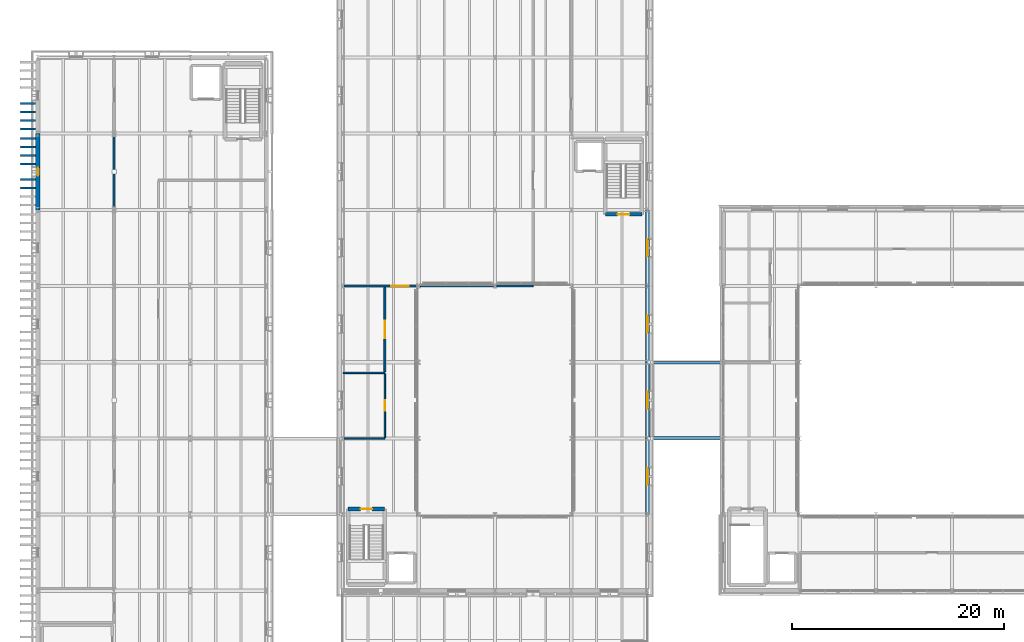
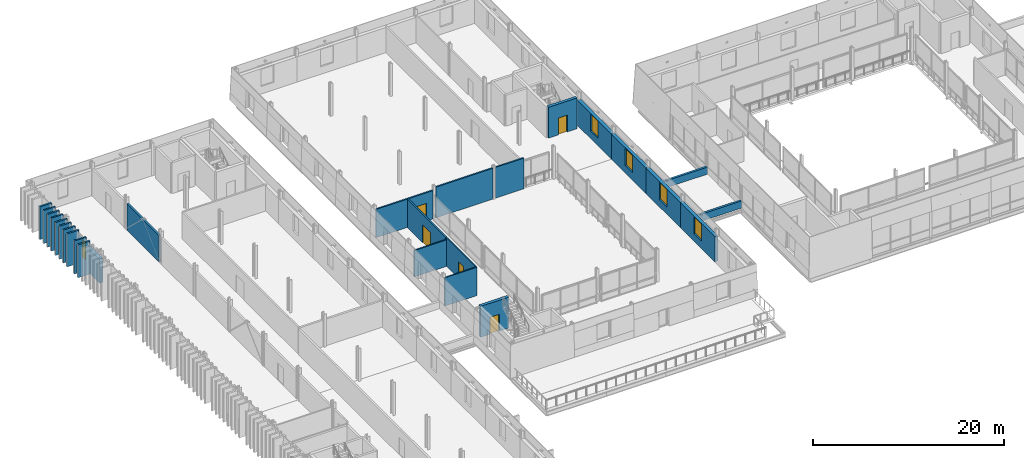
# One storey, part 61 of 91: 27 walls, 5 doors, 5 windows, 10 openings.
"""IFC4 building model written with IfcOpenShell, lengths in metres."""

from ifc_helpers import new_model, si_unit, direction, frame, frame_2d, origin, place, context, subcontext, project, spatial, rectangle, extrude, material, layer, layer_set, type_object, element, fill, save


model = new_model("IFC4")

# Units and contexts
model_context = context("Model", 3, precision=1e-05, world=origin(), true_north=direction((0.0, 1.0)))
body_context = subcontext(model_context, "Body", "Model", "MODEL_VIEW")
ifc_project = project(units=[si_unit("LENGTHUNIT", "METRE"), si_unit("AREAUNIT", "SQUARE_METRE"), si_unit("VOLUMEUNIT", "CUBIC_METRE"), si_unit("PLANEANGLEUNIT", "RADIAN"), si_unit("MASSUNIT", "GRAM", prefix="KILO")], contexts=[model_context])

# Site, building, storey
site_placement = place(None, origin())
site = spatial("IfcSite", under=ifc_project, at=site_placement, CompositionType="ELEMENT")
building_placement = place(site_placement, origin())
building = spatial("IfcBuilding", under=site, at=building_placement, Name="Narikvali Park Central Library", CompositionType="ELEMENT")
storey_placement = place(building_placement, frame((0.0, 0.0, 14.39990234375)))
storey = spatial("IfcBuildingStorey", under=building, at=storey_placement, Name="L03", CompositionType="ELEMENT", Elevation=14.39990234375)

# Walls
ifc_material_1 = material(Name="Reinforced Masonry Blockwork C30/37", Category="masonry")
ifc_layer_1 = layer(ifc_material_1, 0.219970703125, Name="Reinforced Masonry Blockwork C30/37")
ifc_layer_set_1 = layer_set([ifc_layer_1], Name="Reinforced Masonry Blockwork C30/37")
wall_type_1 = type_object("IfcWallType", Name="Archive Fire-Resisting Partition 220", PredefinedType="SOLIDWALL", material=ifc_layer_set_1)
wall_1_placement = place(storey_placement, frame((7.199951171875, 93.87890625, 0.0), z_axis=(0.0, 0.0, 1.0), x_axis=(0.0, 1.0, 0.0)))
element("IfcWall", 1, at=wall_1_placement, inside=storey, type_object=wall_type_1, Name="Compact Mobile Shelving Stacks L03 Partition E", PredefinedType="SOLIDWALL", context=body_context, shape_type="SweptSolid", body=[
    extrude(rectangle(XDim=6.64208984375, YDim=0.219970703125, at=frame_2d((3.321044921875, 0.0))), origin(), (0.0, 0.0, 1.0), 3.385009765625),
])
ifc_material_2 = material(Name="Kiln-Fired Terracotta Red Brick Masonry", Category="masonry")
ifc_layer_2 = layer(ifc_material_2, 0.199951171875, Name="Kiln-Fired Terracotta Red Brick Masonry")
ifc_layer_set_2 = layer_set([ifc_layer_2], Name="Kiln-Fired Terracotta Red Brick Masonry")
wall_type_2 = type_object("IfcWallType", Name="Kiln-Fired Red Brick Vertical Fin Wall 200", PredefinedType="SOLIDWALL", material=ifc_layer_set_2)
for number, where, z_axis, x_axis, name in (
    (2, (-1.659912109375, 95.64990234375, 0.0), (0.0, 0.0, 1.0), (1.0, 0.0, 0.0), "West Stacks Red Brick Vertical Fin Pier 424"),
    (3, (-1.659912109375, 96.449951171875, 0.0), (0.0, 0.0, 1.0), (1.0, 0.0, 0.0), "West Stacks Red Brick Vertical Fin Pier 430"),
    (4, (-1.659912109375, 97.949951171875, 0.0), (0.0, 0.0, 1.0), (1.0, 0.0, 0.0), "West Stacks Red Brick Vertical Fin Pier 436"),
    (5, (-1.659912109375, 98.75, 0.0), (0.0, 0.0, 1.0), (1.0, 0.0, 0.0), "West Stacks Red Brick Vertical Fin Pier 442"),
    (6, (-1.659912109375, 99.550048828125, 0.0), (0.0, 0.0, 1.0), (1.0, 0.0, 0.0), "West Stacks Red Brick Vertical Fin Pier 448"),
    (7, (-1.659912109375, 100.35009765625, 0.0), (0.0, 0.0, 1.0), (1.0, 0.0, 0.0), "West Stacks Red Brick Vertical Fin Pier 454"),
    (8, (-1.659912109375, 101.25, 0.0), (0.0, 0.0, 1.0), (1.0, 0.0, 0.0), "West Stacks Red Brick Vertical Fin Pier 460"),
    (9, (-1.659912109375, 102.050048828125, 0.0), (0.0, 0.0, 1.0), (1.0, 0.0, 0.0), "West Stacks Red Brick Vertical Fin Pier 466"),
    (10, (-1.659912109375, 102.85009765625, 0.0), (0.0, 0.0, 1.0), (1.0, 0.0, 0.0), "West Stacks Red Brick Vertical Fin Pier 472"),
    (11, (-1.659912109375, 103.64990234375, 0.0), (0.0, 0.0, 1.0), (1.0, 0.0, 0.0), "West Stacks Red Brick Vertical Fin Pier 478"),
):
    element("IfcWall", number, at=place(storey_placement, frame(where, z_axis=z_axis, x_axis=x_axis)), inside=storey, type_object=wall_type_2, Name=name, PredefinedType="SOLIDWALL", context=body_context, shape_type="SweptSolid", body=[
        extrude(rectangle(XDim=1.43994140625, YDim=0.199951171875, at=frame_2d((0.719970703125, 0.0))), origin(), (0.0, 0.0, 1.0), 4.2001953125),
    ])
ifc_material_3 = material(Name="Moisture-Resistant Cement Board on Steel Studs", Category="steel")
ifc_layer_3 = layer(ifc_material_3, 0.14990234375, Name="Moisture-Resistant Cement Board on Steel Studs")
ifc_layer_set_3 = layer_set([ifc_layer_3], Name="Moisture-Resistant Cement Board on Steel Studs")
wall_type_3 = type_object("IfcWallType", Name="Moisture-Resistant WC Partition 150", PredefinedType="PARTITIONING", material=ifc_layer_set_3)
wall_2_placement = place(storey_placement, frame((28.9541015625, 72.0, 0.0), z_axis=(0.0, 0.0, 1.0), x_axis=(1.0, 0.0, 0.0)))
element("IfcWall", 12, at=wall_2_placement, inside=storey, type_object=wall_type_3, Name="Atrium Accessible WC L03 Partition S", PredefinedType="PARTITIONING", context=body_context, shape_type="SweptSolid", body=[
    extrude(rectangle(XDim=3.845947265625, YDim=0.14990234375, at=frame_2d((1.9228515625, 0.0))), origin(), (0.0, 0.0, 1.0), 3.614990234375),
])
wall_3_placement = place(storey_placement, frame((28.85498046875, 78.199951171875, 0.0), z_axis=(0.0, 0.0, 1.0), x_axis=(1.0, 0.0, 0.0)))
element("IfcWall", 13, at=wall_3_placement, inside=storey, type_object=wall_type_3, Name="Atrium Accessible WC L03 Partition N", PredefinedType="PARTITIONING", context=body_context, shape_type="SweptSolid", body=[
    extrude(rectangle(XDim=3.945068359375, YDim=0.14990234375, at=frame_2d((1.97265625, 0.0))), origin(), (0.0, 0.0, 1.0), 3.375),
])

# Wall, opening, door
wall_4_placement = place(storey_placement, frame((32.800048828125, 72.076904296875, 0.0), z_axis=(0.0, 0.0, 1.0), x_axis=(0.0, 1.0, 0.0)))
wall_4 = element("IfcWall", 14, at=wall_4_placement, inside=storey, type_object=wall_type_3, Name="Atrium Accessible WC L03 Partition E", PredefinedType="PARTITIONING", context=body_context, shape_type="SweptSolid", body=[
    extrude(rectangle(XDim=6.046142578125, YDim=0.14990234375, at=frame_2d((3.02294921875, 0.0))), origin(), (0.0, 0.0, 1.0), 3.614990234375),
])
opening_1_placement = place(wall_4_placement, frame((2.532958984375, 0.0, 0.0)))
opening_1 = element("IfcOpeningElement", 15, at=opening_1_placement, cuts=wall_4, Name="Opening ID-0015", PredefinedType="OPENING", context=body_context, shape_type="SweptSolid", body=[
    extrude(rectangle(XDim=0.97998046875, YDim=2.10009765625, at=frame_2d((0.489990234375, 1.050048828125))), frame((0.0, 0.0869140625, 0.0), z_axis=(0.0, -1.0, 0.0), x_axis=(1.0, 0.0, 0.0)), (0.0, 0.0, 1.0), 0.173828125),
])
ifc_material_4 = material(Name="Laminate Faced Hardwood Core", Category="wood")
door_type_1 = type_object("IfcDoorType", Name="Accessible WC Outward-Opening Door 980x2100", OperationType="SINGLE_SWING_RIGHT", PredefinedType="DOOR", material=ifc_material_4)
door_1_placement = place(opening_1_placement, frame((0.97998046875, 0.0, 0.0), z_axis=(0.0, 0.0, 1.0), x_axis=(-1.0, 0.0, 0.0)))
door_1 = element("IfcDoor", 16, at=door_1_placement, inside=storey, type_object=door_type_1, Name="Atrium Accessible WC L03 Door ID-0015", OperationType="SINGLE_SWING_LEFT", OverallHeight=2.10009765625, OverallWidth=0.97998046875, PredefinedType="DOOR", context=body_context, shape_type="SweptSolid", body=[
    extrude(rectangle(XDim=0.97998046875, YDim=2.10009765625, at=frame_2d((0.489990234375, 1.050048828125))), frame((0.0, 0.02490234375, 0.0), z_axis=(0.0, -1.0, 0.0), x_axis=(1.0, 0.0, 0.0)), (0.0, 0.0, 1.0), 0.050048828125),
])
fill(opening_1, door_1)

ifc_material_5 = material(Name="Acoustic Gypsum on Steel Studs", Category="steel")
ifc_layer_4 = layer(ifc_material_5, 0.179931640625, Name="Acoustic Gypsum on Steel Studs")
ifc_layer_set_4 = layer_set([ifc_layer_4], Name="Acoustic Gypsum on Steel Studs")
wall_type_4 = type_object("IfcWallType", Name="Reading Room Acoustic Partition 180", PredefinedType="PARTITIONING", material=ifc_layer_set_4)
wall_5_placement = place(storey_placement, frame((28.9541015625, 86.39990234375, 0.0), z_axis=(0.0, 0.0, 1.0), x_axis=(1.0, 0.0, 0.0)))
wall_5 = element("IfcWall", 17, at=wall_5_placement, inside=storey, type_object=wall_type_4, Name="Sciences and Arts Reading Room L03 Partition S", PredefinedType="PARTITIONING", context=body_context, shape_type="SweptSolid", body=[
    extrude(rectangle(XDim=6.891845703125, YDim=0.179931640625, at=frame_2d((3.44580078125, 0.0))), origin(), (0.0, 0.0, 1.0), 3.614990234375),
])
opening_2_placement = place(wall_5_placement, frame((4.424072265625, 0.0, 0.0)))
opening_2 = element("IfcOpeningElement", 18, at=opening_2_placement, cuts=wall_5, Name="Opening ID-0101", PredefinedType="OPENING", context=body_context, shape_type="SweptSolid", body=[
    extrude(rectangle(XDim=1.64990234375, YDim=2.25, at=frame_2d((0.824951171875, 1.125))), frame((0.0, 0.10205078125, 0.0), z_axis=(0.0, -1.0, 0.0), x_axis=(1.0, 0.0, 0.0)), (0.0, 0.0, 1.0), 0.203857421875),
])
ifc_material_6 = material(Name="Caucasian Oak and Tempered Glass", Category="glass")
door_type_2 = type_object("IfcDoorType", Name="Open Stacks Double Glazed Door 1650x2250", OperationType="DOUBLE_DOOR_SINGLE_SWING", PredefinedType="DOOR", material=ifc_material_6)
door_2_placement = place(opening_2_placement, origin())
door_2 = element("IfcDoor", 19, at=door_2_placement, inside=storey, type_object=door_type_2, Name="Sciences and Arts Reading Room L03 Door ID-0101", OperationType="DOUBLE_DOOR_SINGLE_SWING", OverallHeight=2.25, OverallWidth=1.64990234375, PredefinedType="DOOR", context=body_context, shape_type="SweptSolid", body=[
    extrude(rectangle(XDim=1.64990234375, YDim=2.25, at=frame_2d((0.824951171875, 1.125))), frame((0.0, 0.02490234375, 0.0), z_axis=(0.0, -1.0, 0.0), x_axis=(1.0, 0.0, 0.0)), (0.0, 0.0, 1.0), 0.050048828125),
])
fill(opening_2, door_2)

# Walls
wall_6_placement = place(storey_placement, frame((36.154052734375, 86.39990234375, 0.0), z_axis=(0.0, 0.0, 1.0), x_axis=(1.0, 0.0, 0.0)))
element("IfcWall", 20, at=wall_6_placement, inside=storey, type_object=wall_type_4, Name="Sciences and Arts Reading Room L03 Partition S", PredefinedType="PARTITIONING", context=body_context, shape_type="SweptSolid", body=[
    extrude(rectangle(XDim=6.891845703125, YDim=0.179931640625, at=frame_2d((3.44580078125, 0.0))), origin(), (0.0, 0.0, 1.0), 3.925048828125),
])
wall_7_placement = place(storey_placement, frame((43.35400390625, 86.39990234375, 0.0), z_axis=(0.0, 0.0, 1.0), x_axis=(1.0, 0.0, 0.0)))
element("IfcWall", 21, at=wall_7_placement, inside=storey, type_object=wall_type_4, Name="Sciences and Arts Reading Room L03 Partition S", PredefinedType="PARTITIONING", context=body_context, shape_type="SweptSolid", body=[
    extrude(rectangle(XDim=3.446044921875, YDim=0.179931640625, at=frame_2d((1.72314453125, 0.0))), origin(), (0.0, 0.0, 1.0), 3.925048828125),
])

# Wall, opening, door
wall_8_placement = place(storey_placement, frame((32.800048828125, 78.277099609375, 0.0), z_axis=(0.0, 0.0, 1.0), x_axis=(0.0, 1.0, 0.0)))
wall_8 = element("IfcWall", 22, at=wall_8_placement, inside=storey, type_object=wall_type_4, Name="Atrium Open Book Stacks L03 Partition E", PredefinedType="PARTITIONING", context=body_context, shape_type="SweptSolid", body=[
    extrude(rectangle(XDim=8.031005859375, YDim=0.179931640625, at=frame_2d((4.015625, 0.0))), origin(), (0.0, 0.0, 1.0), 3.614990234375),
])
opening_3_placement = place(wall_8_placement, frame((3.1904296875, 0.0, 0.0)))
opening_3 = element("IfcOpeningElement", 23, at=opening_3_placement, cuts=wall_8, Name="Opening ID-0102", PredefinedType="OPENING", context=body_context, shape_type="SweptSolid", body=[
    extrude(rectangle(XDim=1.64990234375, YDim=2.25, at=frame_2d((0.824951171875, 1.125))), frame((0.0, 0.10205078125, 0.0), z_axis=(0.0, -1.0, 0.0), x_axis=(1.0, 0.0, 0.0)), (0.0, 0.0, 1.0), 0.203857421875),
])
door_3_placement = place(opening_3_placement, origin())
door_3 = element("IfcDoor", 24, at=door_3_placement, inside=storey, type_object=door_type_2, Name="Atrium Open Book Stacks L03 Door ID-0102", OperationType="DOUBLE_DOOR_SINGLE_SWING", OverallHeight=2.25, OverallWidth=1.64990234375, PredefinedType="DOOR", context=body_context, shape_type="SweptSolid", body=[
    extrude(rectangle(XDim=1.64990234375, YDim=2.25, at=frame_2d((0.824951171875, 1.125))), frame((0.0, 0.02490234375, 0.0), z_axis=(0.0, -1.0, 0.0), x_axis=(1.0, 0.0, 0.0)), (0.0, 0.0, 1.0), 0.050048828125),
])
fill(opening_3, door_3)

ifc_material_7 = material(Name="Concrete C40/50", Category="concrete")
ifc_layer_5 = layer(ifc_material_7, 0.35009765625, Name="Concrete C40/50")
ifc_layer_set_5 = layer_set([ifc_layer_5], Name="Concrete C40/50")
wall_type_5 = type_object("IfcWallType", Name="Reinforced Concrete Core Shear Wall 350", PredefinedType="SHEAR", material=ifc_layer_set_5)
wall_9_placement = place(storey_placement, frame((32.77001953125, 65.320068359375, 0.0), z_axis=(0.0, 0.0, 1.0), x_axis=(-1.0, 0.0, 0.0)))
wall_9 = element("IfcWall", 25, at=wall_9_placement, inside=storey, type_object=wall_type_5, Name="C4A L03 Stair Core Shear Wall N", PredefinedType="SHEAR", context=body_context, shape_type="SweptSolid", body=[
    extrude(rectangle(XDim=3.43994140625, YDim=0.35009765625, at=frame_2d((1.719970703125, 0.0))), origin(), (0.0, 0.0, 1.0), 3.940185546875),
])
opening_4_placement = place(wall_9_placement, frame((1.169921875, 0.0, 0.0)))
opening_4 = element("IfcOpeningElement", 26, at=opening_4_placement, cuts=wall_9, Name="Opening SD-028", PredefinedType="OPENING", context=body_context, shape_type="SweptSolid", body=[
    extrude(rectangle(XDim=1.10009765625, YDim=2.14990234375, at=frame_2d((0.550048828125, 1.074951171875))), frame((0.0, 0.18701171875, 0.0), z_axis=(0.0, -1.0, 0.0), x_axis=(1.0, 0.0, 0.0)), (0.0, 0.0, 1.0), 0.3740234375),
])
ifc_material_8 = material(Name="Powder-Coated Steel S275 Fire Leaf", Category="steel")
door_type_3 = type_object("IfcDoorType", Name="Stair Core Smoke-Control Fire Door 1100x2150", OperationType="SINGLE_SWING_LEFT", PredefinedType="DOOR", material=ifc_material_8)
door_4_placement = place(opening_4_placement, frame((1.10009765625, 0.0, 0.0), z_axis=(0.0, 0.0, 1.0), x_axis=(-1.0, 0.0, 0.0)))
door_4 = element("IfcDoor", 27, at=door_4_placement, inside=storey, type_object=door_type_3, Name="ST-07 L03 Stair Exit Door SD-028", OperationType="SINGLE_SWING_RIGHT", OverallHeight=2.14990234375, OverallWidth=1.10009765625, PredefinedType="DOOR", context=body_context, shape_type="SweptSolid", body=[
    extrude(rectangle(XDim=1.10009765625, YDim=2.14990234375, at=frame_2d((0.550048828125, 1.074951171875))), frame((0.0, 0.02490234375, 0.0), z_axis=(0.0, -1.0, 0.0), x_axis=(1.0, 0.0, 0.0)), (0.0, 0.0, 1.0), 0.050048828125),
])
fill(opening_4, door_4)

wall_10_placement = place(storey_placement, frame((53.6298828125, 93.179931640625, 0.0), z_axis=(0.0, 0.0, 1.0), x_axis=(1.0, 0.0, 0.0)))
wall_10 = element("IfcWall", 28, at=wall_10_placement, inside=storey, type_object=wall_type_5, Name="C4B L03 Stair Core Shear Wall S", PredefinedType="SHEAR", context=body_context, shape_type="SweptSolid", body=[
    extrude(rectangle(XDim=3.440185546875, YDim=0.35009765625, at=frame_2d((1.72021484375, 0.0))), origin(), (0.0, 0.0, 1.0), 3.940185546875),
])
opening_5_placement = place(wall_10_placement, frame((1.169921875, 0.0, 0.0)))
opening_5 = element("IfcOpeningElement", 29, at=opening_5_placement, cuts=wall_10, Name="Opening SD-034", PredefinedType="OPENING", context=body_context, shape_type="SweptSolid", body=[
    extrude(rectangle(XDim=1.10009765625, YDim=2.14990234375, at=frame_2d((0.550048828125, 1.074951171875))), frame((0.0, 0.18701171875, 0.0), z_axis=(0.0, -1.0, 0.0), x_axis=(1.0, 0.0, 0.0)), (0.0, 0.0, 1.0), 0.3740234375),
])
door_5_placement = place(opening_5_placement, frame((1.10009765625, 0.0, 0.0), z_axis=(0.0, 0.0, 1.0), x_axis=(-1.0, 0.0, 0.0)))
door_5 = element("IfcDoor", 30, at=door_5_placement, inside=storey, type_object=door_type_3, Name="ST-08 L03 Stair Exit Door SD-034", OperationType="SINGLE_SWING_RIGHT", OverallHeight=2.14990234375, OverallWidth=1.10009765625, PredefinedType="DOOR", context=body_context, shape_type="SweptSolid", body=[
    extrude(rectangle(XDim=1.10009765625, YDim=2.14990234375, at=frame_2d((0.550048828125, 1.074951171875))), frame((0.0, 0.02490234375, 0.0), z_axis=(0.0, -1.0, 0.0), x_axis=(1.0, 0.0, 0.0)), (0.0, 0.0, 1.0), 0.050048828125),
])
fill(opening_5, door_5)

# Walls
ifc_material_9 = material(Name="White Honed Limestone over Concrete C35/45", Category="masonry")
ifc_layer_6 = layer(ifc_material_9, 0.260009765625, Name="White Honed Limestone over Concrete C35/45")
ifc_layer_set_6 = layer_set([ifc_layer_6], Name="White Honed Limestone over Concrete C35/45")
wall_type_6 = type_object("IfcWallType", Name="Terrace Garden Parapet Wall 260", PredefinedType="PARAPET", material=ifc_layer_set_6)
for number, where, z_axis, x_axis, name in (
    (31, (57.639892578125, 72.0400390625, 0.0), (0.0, 0.0, 1.0), (1.0, 0.0, 0.0), "BRG-2 Roof Parapet S"),
    (32, (64.760009765625, 79.159912109375, 0.0), (0.0, 0.0, 1.0), (-1.0, 0.0, 0.0), "BRG-2 Roof Parapet N"),
):
    element("IfcWall", number, at=place(storey_placement, frame(where, z_axis=z_axis, x_axis=x_axis)), inside=storey, type_object=wall_type_6, Name=name, PredefinedType="PARAPET", context=body_context, shape_type="SweptSolid", body=[
        extrude(rectangle(XDim=7.1201171875, YDim=0.260009765625, at=frame_2d((3.56005859375, 0.0))), origin(), (0.0, 0.0, 1.0), 0.900146484375),
    ])

# Wall, opening, window
ifc_layer_7 = layer(ifc_material_9, 0.39990234375, Name="White Honed Limestone over Concrete C35/45")
ifc_layer_set_7 = layer_set([ifc_layer_7], Name="White Honed Limestone over Concrete C35/45")
wall_type_7 = type_object("IfcWallType", Name="White Limestone Battered Tier3 Wall 400", PredefinedType="SOLIDWALL", material=ifc_layer_set_7)
wall_11_placement = place(storey_placement, frame((57.60009765625, 64.800048828125, 0.0), z_axis=(0.0, 0.0, 1.0), x_axis=(0.0, 1.0, 0.0)))
wall_11 = element("IfcWall", 33, at=wall_11_placement, inside=storey, type_object=wall_type_7, Name="V4 L03 E Exterior Limestone Wall B02", PredefinedType="SOLIDWALL", context=body_context, shape_type="SweptSolid", body=[
    extrude(rectangle(XDim=7.199951171875, YDim=0.39990234375, at=frame_2d((3.60009765625, 0.0))), origin(), (0.0, 0.0, 1.0), 3.22021484375),
])
opening_6_placement = place(wall_11_placement, frame((2.800048828125, 0.0, 0.949951171875)))
opening_6 = element("IfcOpeningElement", 34, at=opening_6_placement, cuts=wall_11, Name="Opening WIN-0188", PredefinedType="OPENING", context=body_context, shape_type="SweptSolid", body=[
    extrude(rectangle(XDim=1.60009765625, YDim=2.199951171875, at=frame_2d((0.800048828125, 1.10009765625))), frame((0.0, 0.2119140625, 0.0), z_axis=(0.0, -1.0, 0.0), x_axis=(1.0, 0.0, 0.0)), (0.0, 0.0, 1.0), 0.423828125),
])
ifc_material_10 = material(Name="Anodised Bronze Aluminium and Low-E Triple Glazing", Category="aluminium")
window_type_1 = type_object("IfcWindowType", Name="Atrium Reading Wing Classical Window 1600x2200", PartitioningType="DOUBLE_PANEL_VERTICAL", PredefinedType="WINDOW", material=ifc_material_10)
window_1_placement = place(opening_6_placement, origin())
window_1 = element("IfcWindow", 35, at=window_1_placement, inside=storey, type_object=window_type_1, Name="V4 L03 E Deep-Reveal Window WIN-0188", OverallHeight=2.199951171875, OverallWidth=1.60009765625, PartitioningType="SINGLE_PANEL", PredefinedType="WINDOW", context=body_context, shape_type="SweptSolid", body=[
    extrude(rectangle(XDim=1.60009765625, YDim=2.199951171875, at=frame_2d((0.800048828125, 1.10009765625))), frame((0.0, 0.030029296875, 0.0), z_axis=(0.0, -1.0, 0.0), x_axis=(1.0, 0.0, 0.0)), (0.0, 0.0, 1.0), 0.06005859375),
])
fill(opening_6, window_1)

wall_12_placement = place(storey_placement, frame((57.60009765625, 72.0, 0.0), z_axis=(0.0, 0.0, 1.0), x_axis=(0.0, 1.0, 0.0)))
wall_12 = element("IfcWall", 36, at=wall_12_placement, inside=storey, type_object=wall_type_7, Name="V4 L03 E Exterior Limestone Wall B03", PredefinedType="SOLIDWALL", context=body_context, shape_type="SweptSolid", body=[
    extrude(rectangle(XDim=7.199951171875, YDim=0.39990234375, at=frame_2d((3.60009765625, 0.0))), origin(), (0.0, 0.0, 1.0), 3.22021484375),
])
opening_7_placement = place(wall_12_placement, frame((2.800048828125, 0.0, 0.949951171875)))
opening_7 = element("IfcOpeningElement", 37, at=opening_7_placement, cuts=wall_12, Name="Opening WIN-0189", PredefinedType="OPENING", context=body_context, shape_type="SweptSolid", body=[
    extrude(rectangle(XDim=1.60009765625, YDim=2.199951171875, at=frame_2d((0.800048828125, 1.10009765625))), frame((0.0, 0.2119140625, 0.0), z_axis=(0.0, -1.0, 0.0), x_axis=(1.0, 0.0, 0.0)), (0.0, 0.0, 1.0), 0.423828125),
])
window_2_placement = place(opening_7_placement, origin())
window_2 = element("IfcWindow", 38, at=window_2_placement, inside=storey, type_object=window_type_1, Name="V4 L03 E Deep-Reveal Window WIN-0189", OverallHeight=2.199951171875, OverallWidth=1.60009765625, PartitioningType="SINGLE_PANEL", PredefinedType="WINDOW", context=body_context, shape_type="SweptSolid", body=[
    extrude(rectangle(XDim=1.60009765625, YDim=2.199951171875, at=frame_2d((0.800048828125, 1.10009765625))), frame((0.0, 0.030029296875, 0.0), z_axis=(0.0, -1.0, 0.0), x_axis=(1.0, 0.0, 0.0)), (0.0, 0.0, 1.0), 0.06005859375),
])
fill(opening_7, window_2)

wall_13_placement = place(storey_placement, frame((57.60009765625, 79.199951171875, 0.0), z_axis=(0.0, 0.0, 1.0), x_axis=(0.0, 1.0, 0.0)))
wall_13 = element("IfcWall", 39, at=wall_13_placement, inside=storey, type_object=wall_type_7, Name="V4 L03 E Exterior Limestone Wall B04", PredefinedType="SOLIDWALL", context=body_context, shape_type="SweptSolid", body=[
    extrude(rectangle(XDim=7.199951171875, YDim=0.39990234375, at=frame_2d((3.60009765625, 0.0))), origin(), (0.0, 0.0, 1.0), 3.22021484375),
])
opening_8_placement = place(wall_13_placement, frame((2.800048828125, 0.0, 0.949951171875)))
opening_8 = element("IfcOpeningElement", 40, at=opening_8_placement, cuts=wall_13, Name="Opening WIN-0190", PredefinedType="OPENING", context=body_context, shape_type="SweptSolid", body=[
    extrude(rectangle(XDim=1.60009765625, YDim=2.199951171875, at=frame_2d((0.800048828125, 1.10009765625))), frame((0.0, 0.2119140625, 0.0), z_axis=(0.0, -1.0, 0.0), x_axis=(1.0, 0.0, 0.0)), (0.0, 0.0, 1.0), 0.423828125),
])
window_3_placement = place(opening_8_placement, origin())
window_3 = element("IfcWindow", 41, at=window_3_placement, inside=storey, type_object=window_type_1, Name="V4 L03 E Deep-Reveal Window WIN-0190", OverallHeight=2.199951171875, OverallWidth=1.60009765625, PartitioningType="SINGLE_PANEL", PredefinedType="WINDOW", context=body_context, shape_type="SweptSolid", body=[
    extrude(rectangle(XDim=1.60009765625, YDim=2.199951171875, at=frame_2d((0.800048828125, 1.10009765625))), frame((0.0, 0.030029296875, 0.0), z_axis=(0.0, -1.0, 0.0), x_axis=(1.0, 0.0, 0.0)), (0.0, 0.0, 1.0), 0.06005859375),
])
fill(opening_8, window_3)

wall_14_placement = place(storey_placement, frame((57.60009765625, 86.39990234375, 0.0), z_axis=(0.0, 0.0, 1.0), x_axis=(0.0, 1.0, 0.0)))
wall_14 = element("IfcWall", 42, at=wall_14_placement, inside=storey, type_object=wall_type_7, Name="V4 L03 E Exterior Limestone Wall B05", PredefinedType="SOLIDWALL", context=body_context, shape_type="SweptSolid", body=[
    extrude(rectangle(XDim=7.2001953125, YDim=0.39990234375, at=frame_2d((3.60009765625, 0.0))), origin(), (0.0, 0.0, 1.0), 3.22021484375),
])
opening_9_placement = place(wall_14_placement, frame((2.800048828125, 0.0, 0.949951171875)))
opening_9 = element("IfcOpeningElement", 43, at=opening_9_placement, cuts=wall_14, Name="Opening WIN-0191", PredefinedType="OPENING", context=body_context, shape_type="SweptSolid", body=[
    extrude(rectangle(XDim=1.60009765625, YDim=2.199951171875, at=frame_2d((0.800048828125, 1.10009765625))), frame((0.0, 0.2119140625, 0.0), z_axis=(0.0, -1.0, 0.0), x_axis=(1.0, 0.0, 0.0)), (0.0, 0.0, 1.0), 0.423828125),
])
window_4_placement = place(opening_9_placement, origin())
window_4 = element("IfcWindow", 44, at=window_4_placement, inside=storey, type_object=window_type_1, Name="V4 L03 E Deep-Reveal Window WIN-0191", OverallHeight=2.199951171875, OverallWidth=1.60009765625, PartitioningType="SINGLE_PANEL", PredefinedType="WINDOW", context=body_context, shape_type="SweptSolid", body=[
    extrude(rectangle(XDim=1.60009765625, YDim=2.199951171875, at=frame_2d((0.800048828125, 1.10009765625))), frame((0.0, 0.030029296875, 0.0), z_axis=(0.0, -1.0, 0.0), x_axis=(1.0, 0.0, 0.0)), (0.0, 0.0, 1.0), 0.06005859375),
])
fill(opening_9, window_4)

wall_15_placement = place(storey_placement, frame((0.0, 100.800048828125, 0.0), z_axis=(0.0, 0.0, 1.0), x_axis=(0.0, -1.0, 0.0)))
wall_15 = element("IfcWall", 45, at=wall_15_placement, inside=storey, type_object=wall_type_7, Name="V5 L03 W Exterior Limestone Wall B02", PredefinedType="SOLIDWALL", context=body_context, shape_type="SweptSolid", body=[
    extrude(rectangle(XDim=7.199951171875, YDim=0.39990234375, at=frame_2d((3.60009765625, 0.0))), origin(), (0.0, 0.0, 1.0), 3.06005859375),
])
opening_10_placement = place(wall_15_placement, frame((3.199951171875, 0.0, 0.949951171875)))
opening_10 = element("IfcOpeningElement", 46, at=opening_10_placement, cuts=wall_15, Name="Opening WIN-0298", PredefinedType="OPENING", context=body_context, shape_type="SweptSolid", body=[
    extrude(rectangle(XDim=0.800048828125, YDim=2.14990234375, at=frame_2d((0.39990234375, 1.074951171875))), frame((0.0, 0.2119140625, 0.0), z_axis=(0.0, -1.0, 0.0), x_axis=(1.0, 0.0, 0.0)), (0.0, 0.0, 1.0), 0.423828125),
])
window_type_2 = type_object("IfcWindowType", Name="West Fin-Bay Narrow Carrel Slot Window 800x2150", PartitioningType="SINGLE_PANEL", PredefinedType="WINDOW", material=ifc_material_10)
window_5_placement = place(opening_10_placement, origin())
window_5 = element("IfcWindow", 47, at=window_5_placement, inside=storey, type_object=window_type_2, Name="V5 L03 W Deep-Reveal Window WIN-0298", OverallHeight=2.14990234375, OverallWidth=0.800048828125, PartitioningType="SINGLE_PANEL", PredefinedType="WINDOW", context=body_context, shape_type="SweptSolid", body=[
    extrude(rectangle(XDim=0.800048828125, YDim=2.14990234375, at=frame_2d((0.39990234375, 1.074951171875))), frame((0.0, 0.030029296875, 0.0), z_axis=(0.0, -1.0, 0.0), x_axis=(1.0, 0.0, 0.0)), (0.0, 0.0, 1.0), 0.06005859375),
])
fill(opening_10, window_5)

save(model, "model.ifc")
